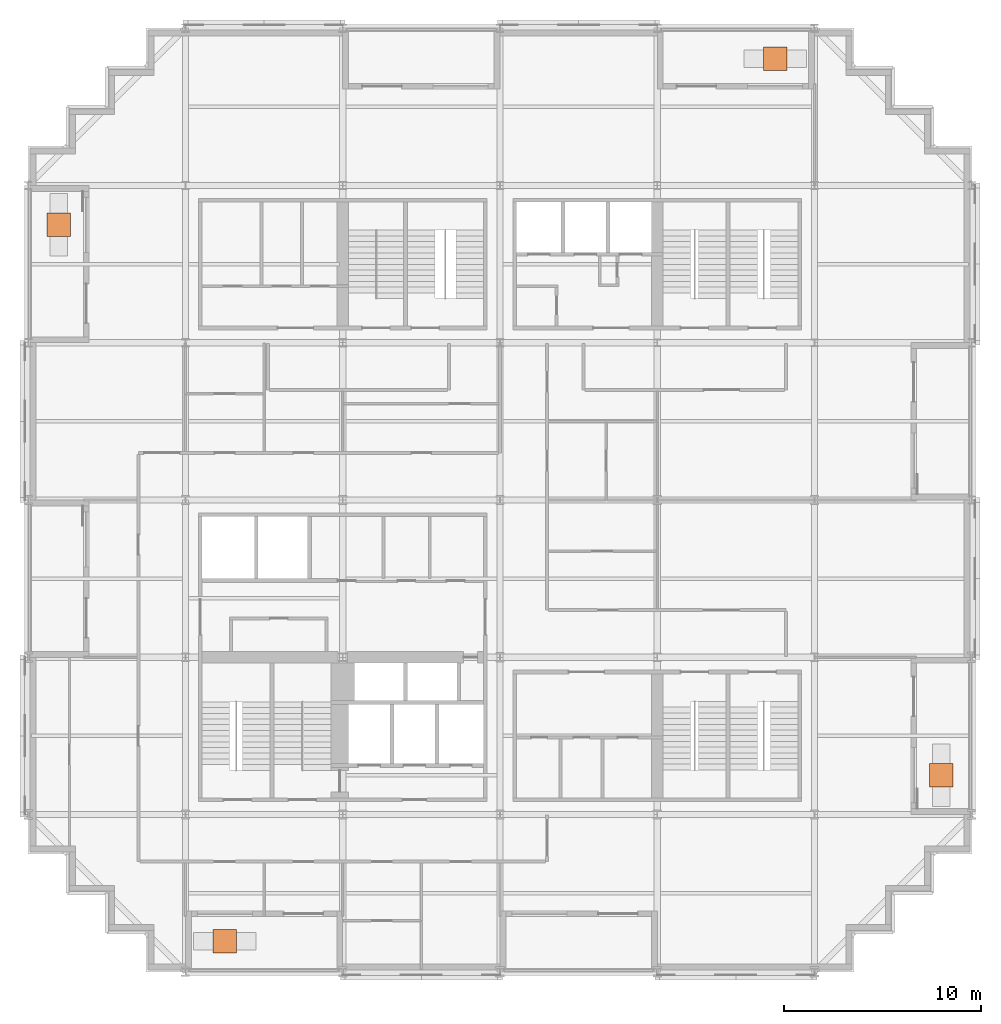
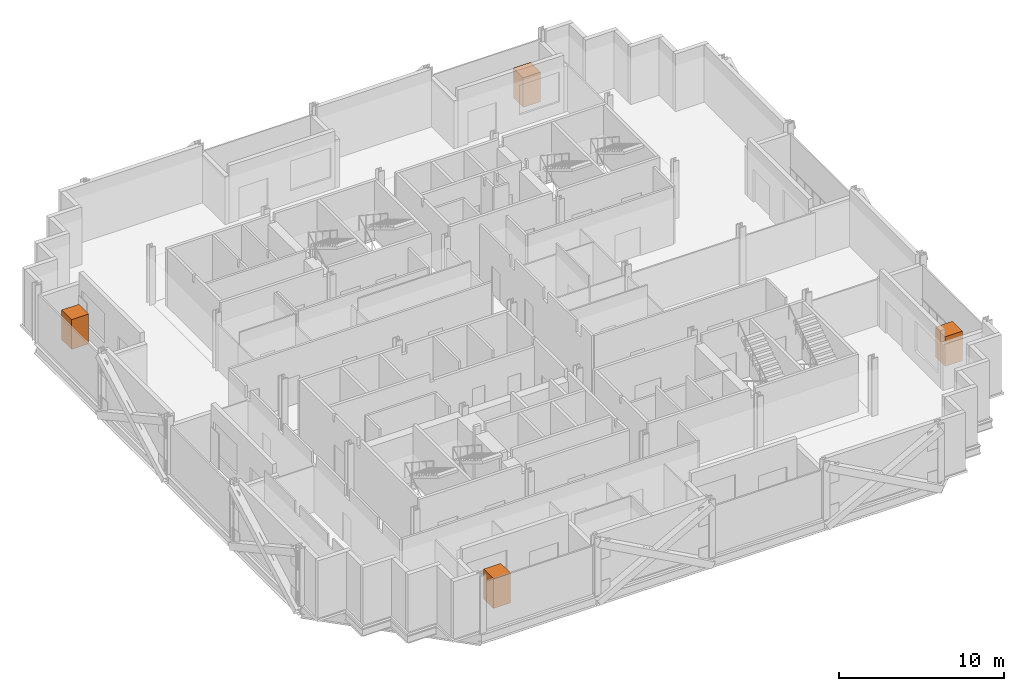
# One storey, part 13 of 13: 4 geographic elements.
"""IFC4 building model written with IfcOpenShell, lengths in metres."""

from ifc_helpers import new_model, si_unit, direction, frame, origin, origin_2d, place, context, subcontext, project, spatial, rectangle, extrude, material, type_object, element, save


model = new_model("IFC4")

# Units and contexts
model_context = context("Model", 3, precision=1e-05, world=origin(), true_north=direction((0.0, 1.0)))
body_context = subcontext(model_context, "Body", "Model", "MODEL_VIEW")
ifc_project = project(units=[si_unit("LENGTHUNIT", "METRE"), si_unit("AREAUNIT", "SQUARE_METRE"), si_unit("VOLUMEUNIT", "CUBIC_METRE"), si_unit("PLANEANGLEUNIT", "RADIAN"), si_unit("MASSUNIT", "GRAM", prefix="KILO")], contexts=[model_context])

# Site, building, storey
site_placement = place(None, origin())
site = spatial("IfcSite", under=ifc_project, at=site_placement, CompositionType="ELEMENT")
building_placement = place(site_placement, origin())
building = spatial("IfcBuilding", under=site, at=building_placement, Name="Immortelle Media Tower", CompositionType="ELEMENT")
storey_placement = place(building_placement, frame((0.0, 0.0, 34.800048828125)))
storey = spatial("IfcBuildingStorey", under=building, at=storey_placement, Name="L04", CompositionType="ELEMENT", Elevation=34.800048828125)

# Geographic elements
ifc_material = material(Name="Tree canopy foliage")
geographic_element_type = type_object("IfcGeographicElementType", Name="Tree", PredefinedType="USERDEFINED", material=ifc_material)
for number, where, z_axis, x_axis, name in (
    (1, (1.550048828125, 38.0, 0.60009765625), (0.0, 0.0, 1.0), (1.0, 0.0, 0.0), "Tree L04 W0"),
    (2, (10.0, 1.550048828125, 0.60009765625), (0.0, 0.0, 1.0), (1.0, 0.0, 0.0), "Tree L04 S0"),
    (3, (46.449951171875, 10.0, 0.60009765625), (0.0, 0.0, 1.0), (1.0, 0.0, 0.0), "Tree L04 E0"),
    (4, (38.0, 46.449951171875, 0.60009765625), (0.0, 0.0, 1.0), (1.0, 0.0, 0.0), "Tree L04 N0"),
):
    element("IfcGeographicElement", number, at=place(storey_placement, frame(where, z_axis=z_axis, x_axis=x_axis)), inside=storey, type_object=geographic_element_type, Name=name, ObjectType="Tree", PredefinedType="USERDEFINED", context=body_context, shape_type="SweptSolid", body=[
        extrude(rectangle(XDim=1.199951171875, YDim=1.199951171875, at=origin_2d()), origin(), (0.0, 0.0, 1.0), 2.199951171875),
    ])

save(model, "model.ifc")
